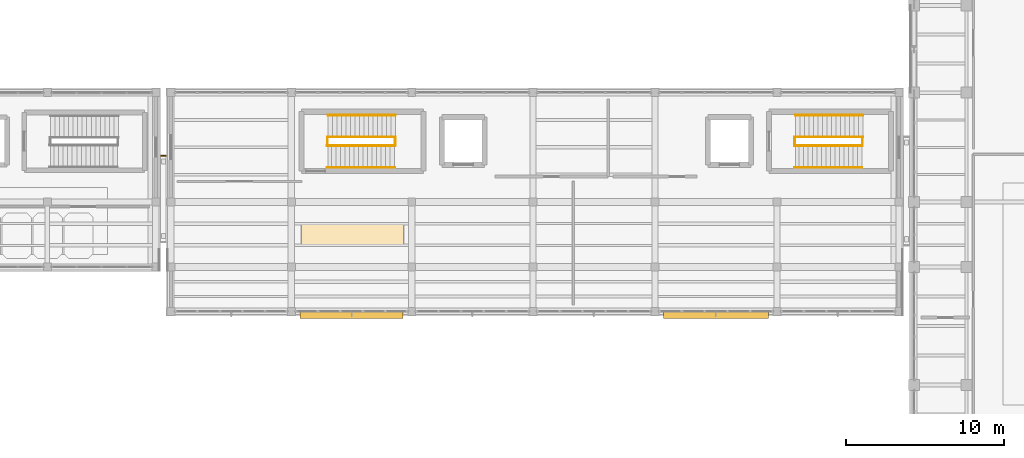
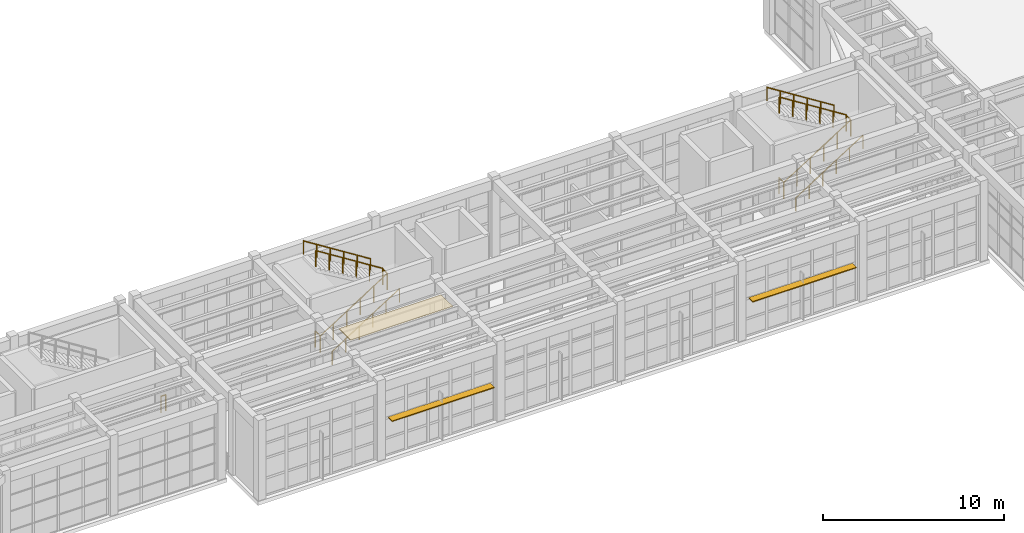
# One storey, part 99 of 103: 13 railings, 2 shading devices, 1 covering.
"""IFC4 building model written with IfcOpenShell, lengths in metres."""

from ifc_helpers import new_model, si_unit, direction, frame, origin, origin_2d, place, context, subcontext, project, spatial, rectangle, circle, extrude, material, layer, layer_set, type_object, element, save


model = new_model("IFC4")

# Units and contexts
model_context = context("Model", 3, precision=1e-05, world=origin(), true_north=direction((0.0, 1.0)))
body_context = subcontext(model_context, "Body", "Model", "MODEL_VIEW")
ifc_project = project(units=[si_unit("LENGTHUNIT", "METRE"), si_unit("AREAUNIT", "SQUARE_METRE"), si_unit("VOLUMEUNIT", "CUBIC_METRE"), si_unit("PLANEANGLEUNIT", "RADIAN"), si_unit("MASSUNIT", "GRAM", prefix="KILO")], contexts=[model_context])

# Site, building, storey
site_placement = place(None, origin())
site = spatial("IfcSite", under=ifc_project, at=site_placement, CompositionType="ELEMENT")
building_placement = place(site_placement, origin())
building = spatial("IfcBuilding", under=site, at=building_placement, Name="Candilejo Ridge Gondola Terminal", CompositionType="ELEMENT")
storey_placement = place(building_placement, frame((0.0, 0.0, 9.0)))
storey = spatial("IfcBuildingStorey", under=building, at=storey_placement, Name="L02", CompositionType="ELEMENT", Elevation=9.0)

# Covering
ifc_material_1 = material(Name="Perforated acoustic aluminium linear plank ceiling", Category="aluminium")
ifc_layer = layer(ifc_material_1, 0.044921875)
ifc_layer_set = layer_set([ifc_layer], Name="ARC-COV-CEILING-AC")
covering_type = type_object("IfcCoveringType", Name="ARC-COV-CEILING-AC", PredefinedType="CEILING", material=ifc_layer_set)
covering_placement = place(storey_placement, frame((98.449951171875, 27.75, 5.130615234375), z_axis=(0.0, 0.0, 1.0), x_axis=(1.0, 0.0, 0.0)))
element("IfcCovering", 1, at=covering_placement, inside=storey, type_object=covering_type, Name="Acoustic ceiling CL-V3-L02-A", PredefinedType="CEILING", context=body_context, shape_type="SweptSolid", body=[
    extrude(rectangle(XDim=6.5, YDim=1.300048828125, at=origin_2d()), origin(), (0.0, 0.0, 1.0), 0.044921875),
])

# Railings
ifc_material_2 = material(Name="Hot-dip galvanised steel ASTM A500 Grade B", Category="steel")
railing_type_1 = type_object("IfcRailingType", Name="ARC-GUARD-GLASS-1150", PredefinedType="GUARDRAIL", material=ifc_material_2)
railing_1_placement = place(storey_placement, frame((86.3701171875, 32.719970703125, 0.0)))
element("IfcRailing", 2, at=railing_1_placement, inside=storey, type_object=railing_type_1, Name="Link bridge guard LB-SJ2-L02-N", PredefinedType="GUARDRAIL", context=body_context, shape_type="SweptSolid", body=[
    extrude(circle(Radius=0.02392578125, at=origin_2d()), frame((0.0, 0.0, 1.076171875), z_axis=(1.0, 0.0, 0.0), x_axis=(0.0, 1.0, 0.0)), (0.0, 0.0, 1.0), 0.309814453125),
    extrude(circle(Radius=0.02099609375, at=origin_2d()), origin(), (0.0, 0.0, 1.0), 1.052001953125),
    extrude(circle(Radius=0.02099609375, at=origin_2d()), frame((0.309814453125, 0.0, 0.0)), (0.0, 0.0, 1.0), 1.052001953125),
])
ifc_material_3 = material(Name="Hot-dip galvanised steel ASTM A500 Grade B", Category="steel")
railing_type_2 = type_object("IfcRailingType", Name="ARC-STAIR-GUARD-1100", PredefinedType="GUARDRAIL", material=ifc_material_3)
railing_2_placement = place(storey_placement, frame((96.8798828125, 33.347412109375, 0.0)))
element("IfcRailing", 3, at=railing_2_placement, inside=storey, type_object=railing_type_2, Name="Arrival well guard ST-V3A-L01-ARR-L02", PredefinedType="GUARDRAIL", context=body_context, shape_type="SweptSolid", body=[
    extrude(circle(Radius=0.02392578125, at=origin_2d()), frame((0.0, 0.0, 1.076171875), z_axis=(0.0, 1.0, 0.0), x_axis=(-1.0, 0.0, 0.0)), (0.0, 0.0, 1.0), 0.55517578125),
    extrude(circle(Radius=0.02099609375, at=origin_2d()), origin(), (0.0, 0.0, 1.0), 1.052001953125),
    extrude(circle(Radius=0.02099609375, at=origin_2d()), frame((0.0, 0.55517578125, 0.0)), (0.0, 0.0, 1.0), 1.052001953125),
])
railing_3_placement = place(storey_placement, frame((96.85009765625, 33.347412109375, 0.0)))
element("IfcRailing", 4, at=railing_3_placement, inside=storey, type_object=railing_type_2, Name="Flight well guard ST-V3A-F05", PredefinedType="GUARDRAIL", context=body_context, shape_type="SweptSolid", body=[
    extrude(circle(Radius=0.02392578125, at=origin_2d()), frame((0.0, 0.0, 1.076171875), z_axis=(0.845487755639, 0.0, 0.533994808088), x_axis=(0.0, 1.0, 0.0)), (0.0, 0.0, 1.0), 5.05615234375),
    extrude(circle(Radius=0.02099609375, at=origin_2d()), origin(), (0.0, 0.0, 1.0), 1.052001953125),
    extrude(circle(Radius=0.02099609375, at=origin_2d()), frame((0.85498046875, 0.0, 0.5400390625)), (0.0, 0.0, 1.0), 1.052001953125),
    extrude(circle(Radius=0.02099609375, at=origin_2d()), frame((1.7099609375, 0.0, 1.080078125)), (0.0, 0.0, 1.0), 1.052001953125),
    extrude(circle(Radius=0.02099609375, at=origin_2d()), frame((2.56494140625, 0.0, 1.619873046875)), (0.0, 0.0, 1.0), 1.052001953125),
    extrude(circle(Radius=0.02099609375, at=origin_2d()), frame((3.419921875, 0.0, 2.159912109375)), (0.0, 0.0, 1.0), 1.052001953125),
    extrude(circle(Radius=0.02099609375, at=origin_2d()), frame((4.27490234375, 0.0, 2.699951171875)), (0.0, 0.0, 1.0), 1.052001953125),
])
railing_4_placement = place(storey_placement, frame((101.155029296875, 33.347412109375, 2.699951171875)))
element("IfcRailing", 5, at=railing_4_placement, inside=storey, type_object=railing_type_2, Name="Half-landing slot guard ST-V3A-LND-03", PredefinedType="GUARDRAIL", context=body_context, shape_type="SweptSolid", body=[
    extrude(circle(Radius=0.02392578125, at=origin_2d()), frame((0.0, 0.0, 1.076171875), z_axis=(0.0, 1.0, 0.0), x_axis=(-1.0, 0.0, 0.0)), (0.0, 0.0, 1.0), 0.55517578125),
    extrude(circle(Radius=0.02099609375, at=origin_2d()), origin(), (0.0, 0.0, 1.0), 1.052001953125),
    extrude(circle(Radius=0.02099609375, at=origin_2d()), frame((0.0, 0.55517578125, 0.0)), (0.0, 0.0, 1.0), 1.052001953125),
])
railing_5_placement = place(storey_placement, frame((101.18505859375, 33.902587890625, 2.699951171875)))
element("IfcRailing", 6, at=railing_5_placement, inside=storey, type_object=railing_type_2, Name="Flight well guard ST-V3A-F06", PredefinedType="GUARDRAIL", context=body_context, shape_type="SweptSolid", body=[
    extrude(circle(Radius=0.02392578125, at=origin_2d()), frame((0.0, 0.0, 1.076171875), z_axis=(-0.845501523569, 0.0, 0.533973008346), x_axis=(0.0, -1.0, 0.0)), (0.0, 0.0, 1.0), 5.056396484375),
    extrude(circle(Radius=0.02099609375, at=origin_2d()), origin(), (0.0, 0.0, 1.0), 1.052001953125),
    extrude(circle(Radius=0.02099609375, at=origin_2d()), frame((-0.85498046875, 0.0, 0.5400390625)), (0.0, 0.0, 1.0), 1.052001953125),
    extrude(circle(Radius=0.02099609375, at=origin_2d()), frame((-1.7099609375, 0.0, 1.080078125)), (0.0, 0.0, 1.0), 1.052001953125),
    extrude(circle(Radius=0.02099609375, at=origin_2d()), frame((-2.565185546875, 0.0, 1.619873046875)), (0.0, 0.0, 1.0), 1.052001953125),
    extrude(circle(Radius=0.02099609375, at=origin_2d()), frame((-3.420166015625, 0.0, 2.159912109375)), (0.0, 0.0, 1.0), 1.052001953125),
    extrude(circle(Radius=0.02099609375, at=origin_2d()), frame((-4.275146484375, 0.0, 2.699951171875)), (0.0, 0.0, 1.0), 1.052001953125),
])
railing_6_placement = place(storey_placement, frame((126.3798828125, 33.347412109375, 0.0)))
element("IfcRailing", 7, at=railing_6_placement, inside=storey, type_object=railing_type_2, Name="Arrival well guard ST-V3B-L01-ARR-L02", PredefinedType="GUARDRAIL", context=body_context, shape_type="SweptSolid", body=[
    extrude(circle(Radius=0.02392578125, at=origin_2d()), frame((0.0, 0.0, 1.076171875), z_axis=(0.0, 1.0, 0.0), x_axis=(-1.0, 0.0, 0.0)), (0.0, 0.0, 1.0), 0.55517578125),
    extrude(circle(Radius=0.02099609375, at=origin_2d()), origin(), (0.0, 0.0, 1.0), 1.052001953125),
    extrude(circle(Radius=0.02099609375, at=origin_2d()), frame((0.0, 0.55517578125, 0.0)), (0.0, 0.0, 1.0), 1.052001953125),
])
railing_7_placement = place(storey_placement, frame((126.35009765625, 33.347412109375, 0.0)))
element("IfcRailing", 8, at=railing_7_placement, inside=storey, type_object=railing_type_2, Name="Flight well guard ST-V3B-F05", PredefinedType="GUARDRAIL", context=body_context, shape_type="SweptSolid", body=[
    extrude(circle(Radius=0.02392578125, at=origin_2d()), frame((0.0, 0.0, 1.076171875), z_axis=(0.845487755639, 0.0, 0.533994808088), x_axis=(0.0, 1.0, 0.0)), (0.0, 0.0, 1.0), 5.05615234375),
    extrude(circle(Radius=0.02099609375, at=origin_2d()), origin(), (0.0, 0.0, 1.0), 1.052001953125),
    extrude(circle(Radius=0.02099609375, at=origin_2d()), frame((0.85498046875, 0.0, 0.5400390625)), (0.0, 0.0, 1.0), 1.052001953125),
    extrude(circle(Radius=0.02099609375, at=origin_2d()), frame((1.7099609375, 0.0, 1.080078125)), (0.0, 0.0, 1.0), 1.052001953125),
    extrude(circle(Radius=0.02099609375, at=origin_2d()), frame((2.56494140625, 0.0, 1.619873046875)), (0.0, 0.0, 1.0), 1.052001953125),
    extrude(circle(Radius=0.02099609375, at=origin_2d()), frame((3.419921875, 0.0, 2.159912109375)), (0.0, 0.0, 1.0), 1.052001953125),
    extrude(circle(Radius=0.02099609375, at=origin_2d()), frame((4.27490234375, 0.0, 2.699951171875)), (0.0, 0.0, 1.0), 1.052001953125),
])
railing_8_placement = place(storey_placement, frame((130.655029296875, 33.347412109375, 2.699951171875)))
element("IfcRailing", 9, at=railing_8_placement, inside=storey, type_object=railing_type_2, Name="Half-landing slot guard ST-V3B-LND-03", PredefinedType="GUARDRAIL", context=body_context, shape_type="SweptSolid", body=[
    extrude(circle(Radius=0.02392578125, at=origin_2d()), frame((0.0, 0.0, 1.076171875), z_axis=(0.0, 1.0, 0.0), x_axis=(-1.0, 0.0, 0.0)), (0.0, 0.0, 1.0), 0.55517578125),
    extrude(circle(Radius=0.02099609375, at=origin_2d()), origin(), (0.0, 0.0, 1.0), 1.052001953125),
    extrude(circle(Radius=0.02099609375, at=origin_2d()), frame((0.0, 0.55517578125, 0.0)), (0.0, 0.0, 1.0), 1.052001953125),
])
railing_9_placement = place(storey_placement, frame((130.68505859375, 33.902587890625, 2.699951171875)))
element("IfcRailing", 10, at=railing_9_placement, inside=storey, type_object=railing_type_2, Name="Flight well guard ST-V3B-F06", PredefinedType="GUARDRAIL", context=body_context, shape_type="SweptSolid", body=[
    extrude(circle(Radius=0.02392578125, at=origin_2d()), frame((0.0, 0.0, 1.076171875), z_axis=(-0.845501523569, 0.0, 0.533973008346), x_axis=(0.0, -1.0, 0.0)), (0.0, 0.0, 1.0), 5.056396484375),
    extrude(circle(Radius=0.02099609375, at=origin_2d()), origin(), (0.0, 0.0, 1.0), 1.052001953125),
    extrude(circle(Radius=0.02099609375, at=origin_2d()), frame((-0.85498046875, 0.0, 0.5400390625)), (0.0, 0.0, 1.0), 1.052001953125),
    extrude(circle(Radius=0.02099609375, at=origin_2d()), frame((-1.7099609375, 0.0, 1.080078125)), (0.0, 0.0, 1.0), 1.052001953125),
    extrude(circle(Radius=0.02099609375, at=origin_2d()), frame((-2.565185546875, 0.0, 1.619873046875)), (0.0, 0.0, 1.0), 1.052001953125),
    extrude(circle(Radius=0.02099609375, at=origin_2d()), frame((-3.420166015625, 0.0, 2.159912109375)), (0.0, 0.0, 1.0), 1.052001953125),
    extrude(circle(Radius=0.02099609375, at=origin_2d()), frame((-4.275146484375, 0.0, 2.699951171875)), (0.0, 0.0, 1.0), 1.052001953125),
])
ifc_material_4 = material(Name="Brushed stainless steel AISI 316", Category="steel")
railing_type_3 = type_object("IfcRailingType", Name="ARC-STAIR-HANDRAIL-920", PredefinedType="HANDRAIL", material=ifc_material_4)
railing_10_placement = place(storey_placement, frame((96.85009765625, 31.9775390625, 0.0)))
element("IfcRailing", 11, at=railing_10_placement, inside=storey, type_object=railing_type_3, Name="Wall handrail ST-V3A-F05", PredefinedType="HANDRAIL", context=body_context, shape_type="SweptSolid", body=[
    extrude(circle(Radius=0.02392578125, at=origin_2d()), frame((0.0, 0.0, 0.89599609375), z_axis=(0.845487755639, 0.0, 0.533994808088), x_axis=(0.0, 1.0, 0.0)), (0.0, 0.0, 1.0), 5.05615234375),
    extrude(circle(Radius=0.02099609375, at=origin_2d()), origin(), (0.0, 0.0, 1.0), 0.871826171875),
    extrude(circle(Radius=0.02099609375, at=origin_2d()), frame((0.85498046875, 0.0, 0.5400390625)), (0.0, 0.0, 1.0), 0.871826171875),
    extrude(circle(Radius=0.02099609375, at=origin_2d()), frame((1.7099609375, 0.0, 1.080078125)), (0.0, 0.0, 1.0), 0.871826171875),
    extrude(circle(Radius=0.02099609375, at=origin_2d()), frame((2.56494140625, 0.0, 1.619873046875)), (0.0, 0.0, 1.0), 0.871826171875),
    extrude(circle(Radius=0.02099609375, at=origin_2d()), frame((3.419921875, 0.0, 2.159912109375)), (0.0, 0.0, 1.0), 0.871826171875),
    extrude(circle(Radius=0.02099609375, at=origin_2d()), frame((4.27490234375, 0.0, 2.699951171875)), (0.0, 0.0, 1.0), 0.871826171875),
])
railing_11_placement = place(storey_placement, frame((101.18505859375, 35.2724609375, 2.699951171875)))
element("IfcRailing", 12, at=railing_11_placement, inside=storey, type_object=railing_type_3, Name="Wall handrail ST-V3A-F06", PredefinedType="HANDRAIL", context=body_context, shape_type="SweptSolid", body=[
    extrude(circle(Radius=0.02392578125, at=origin_2d()), frame((0.0, 0.0, 0.89599609375), z_axis=(-0.845501523569, 0.0, 0.533973008346), x_axis=(0.0, -1.0, 0.0)), (0.0, 0.0, 1.0), 5.056396484375),
    extrude(circle(Radius=0.02099609375, at=origin_2d()), origin(), (0.0, 0.0, 1.0), 0.871826171875),
    extrude(circle(Radius=0.02099609375, at=origin_2d()), frame((-0.85498046875, 0.0, 0.5400390625)), (0.0, 0.0, 1.0), 0.871826171875),
    extrude(circle(Radius=0.02099609375, at=origin_2d()), frame((-1.7099609375, 0.0, 1.080078125)), (0.0, 0.0, 1.0), 0.871826171875),
    extrude(circle(Radius=0.02099609375, at=origin_2d()), frame((-2.565185546875, 0.0, 1.619873046875)), (0.0, 0.0, 1.0), 0.871826171875),
    extrude(circle(Radius=0.02099609375, at=origin_2d()), frame((-3.420166015625, 0.0, 2.159912109375)), (0.0, 0.0, 1.0), 0.871826171875),
    extrude(circle(Radius=0.02099609375, at=origin_2d()), frame((-4.275146484375, 0.0, 2.699951171875)), (0.0, 0.0, 1.0), 0.871826171875),
])
railing_12_placement = place(storey_placement, frame((126.35009765625, 31.9775390625, 0.0)))
element("IfcRailing", 13, at=railing_12_placement, inside=storey, type_object=railing_type_3, Name="Wall handrail ST-V3B-F05", PredefinedType="HANDRAIL", context=body_context, shape_type="SweptSolid", body=[
    extrude(circle(Radius=0.02392578125, at=origin_2d()), frame((0.0, 0.0, 0.89599609375), z_axis=(0.845487755639, 0.0, 0.533994808088), x_axis=(0.0, 1.0, 0.0)), (0.0, 0.0, 1.0), 5.05615234375),
    extrude(circle(Radius=0.02099609375, at=origin_2d()), origin(), (0.0, 0.0, 1.0), 0.871826171875),
    extrude(circle(Radius=0.02099609375, at=origin_2d()), frame((0.85498046875, 0.0, 0.5400390625)), (0.0, 0.0, 1.0), 0.871826171875),
    extrude(circle(Radius=0.02099609375, at=origin_2d()), frame((1.7099609375, 0.0, 1.080078125)), (0.0, 0.0, 1.0), 0.871826171875),
    extrude(circle(Radius=0.02099609375, at=origin_2d()), frame((2.56494140625, 0.0, 1.619873046875)), (0.0, 0.0, 1.0), 0.871826171875),
    extrude(circle(Radius=0.02099609375, at=origin_2d()), frame((3.419921875, 0.0, 2.159912109375)), (0.0, 0.0, 1.0), 0.871826171875),
    extrude(circle(Radius=0.02099609375, at=origin_2d()), frame((4.27490234375, 0.0, 2.699951171875)), (0.0, 0.0, 1.0), 0.871826171875),
])
railing_13_placement = place(storey_placement, frame((130.68505859375, 35.2724609375, 2.699951171875)))
element("IfcRailing", 14, at=railing_13_placement, inside=storey, type_object=railing_type_3, Name="Wall handrail ST-V3B-F06", PredefinedType="HANDRAIL", context=body_context, shape_type="SweptSolid", body=[
    extrude(circle(Radius=0.02392578125, at=origin_2d()), frame((0.0, 0.0, 0.89599609375), z_axis=(-0.845501523569, 0.0, 0.533973008346), x_axis=(0.0, -1.0, 0.0)), (0.0, 0.0, 1.0), 5.056396484375),
    extrude(circle(Radius=0.02099609375, at=origin_2d()), origin(), (0.0, 0.0, 1.0), 0.871826171875),
    extrude(circle(Radius=0.02099609375, at=origin_2d()), frame((-0.85498046875, 0.0, 0.5400390625)), (0.0, 0.0, 1.0), 0.871826171875),
    extrude(circle(Radius=0.02099609375, at=origin_2d()), frame((-1.7099609375, 0.0, 1.080078125)), (0.0, 0.0, 1.0), 0.871826171875),
    extrude(circle(Radius=0.02099609375, at=origin_2d()), frame((-2.565185546875, 0.0, 1.619873046875)), (0.0, 0.0, 1.0), 0.871826171875),
    extrude(circle(Radius=0.02099609375, at=origin_2d()), frame((-3.420166015625, 0.0, 2.159912109375)), (0.0, 0.0, 1.0), 0.871826171875),
    extrude(circle(Radius=0.02099609375, at=origin_2d()), frame((-4.275146484375, 0.0, 2.699951171875)), (0.0, 0.0, 1.0), 0.871826171875),
])

# Shading devices
ifc_material_5 = material(Name="Anodised aluminium AA 6063-T6", Category="aluminum")
shading_device_type = type_object("IfcShadingDeviceType", Name="ARC-SHADING-JALOUSIE-450", PredefinedType="JALOUSIE", material=ifc_material_5)
shading_device_1_placement = place(storey_placement, frame((98.39990234375, 22.660888671875, 2.517578125)))
element("IfcShadingDevice", 15, at=shading_device_1_placement, inside=storey, type_object=shading_device_type, Name="Horizontal solar louvre LVR-V3-06", PredefinedType="JALOUSIE", context=body_context, shape_type="SweptSolid", body=[
    extrude(rectangle(XDim=6.5, YDim=0.449951171875, at=origin_2d()), origin(), (0.0, 0.0, 1.0), 0.06494140625),
])
shading_device_2_placement = place(storey_placement, frame((121.39990234375, 22.660888671875, 2.517578125)))
element("IfcShadingDevice", 16, at=shading_device_2_placement, inside=storey, type_object=shading_device_type, Name="Horizontal solar louvre LVR-V3-07", PredefinedType="JALOUSIE", context=body_context, shape_type="SweptSolid", body=[
    extrude(rectangle(XDim=6.60009765625, YDim=0.449951171875, at=origin_2d()), origin(), (0.0, 0.0, 1.0), 0.06494140625),
])

save(model, "model.ifc")
